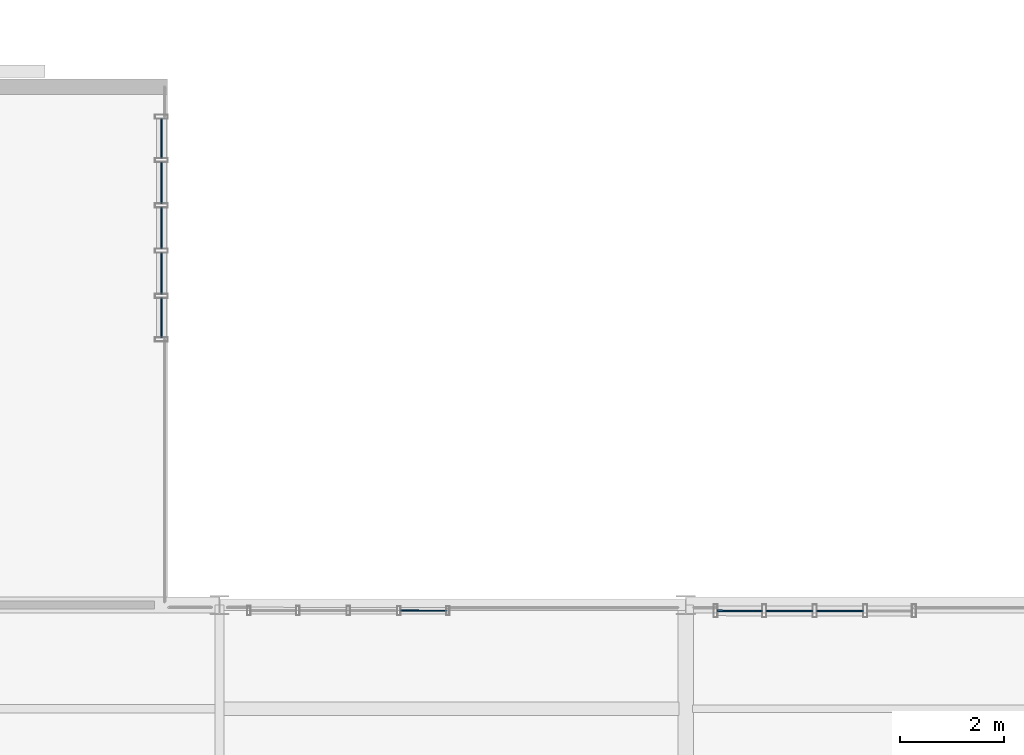
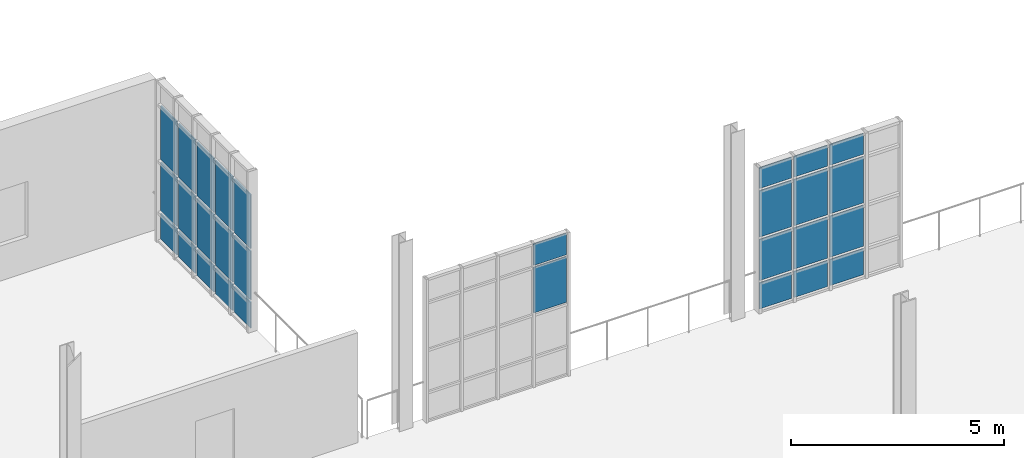
# One storey, part 111 of 142: 29 plates, 3 elements without a shape of their own.
"""IFC4 building model written with IfcOpenShell, lengths in metres."""

from ifc_helpers import new_model, si_unit, direction, frame, origin, origin_2d, place, context, subcontext, project, spatial, rectangle, extrude, material, layer, layer_set, type_object, element, aggregate, save


model = new_model("IFC4")

# Units and contexts
model_context = context("Model", 3, precision=1e-05, world=origin(), true_north=direction((0.0, 1.0)))
body_context = subcontext(model_context, "Body", "Model", "MODEL_VIEW")
ifc_project = project(units=[si_unit("LENGTHUNIT", "METRE"), si_unit("AREAUNIT", "SQUARE_METRE"), si_unit("VOLUMEUNIT", "CUBIC_METRE"), si_unit("PLANEANGLEUNIT", "RADIAN"), si_unit("MASSUNIT", "GRAM", prefix="KILO"), si_unit("THERMODYNAMICTEMPERATUREUNIT", "KELVIN"), si_unit("POWERUNIT", "WATT")], contexts=[model_context])

# Site, building, storey
site_placement = place(None, origin())
site = spatial("IfcSite", under=ifc_project, at=site_placement, CompositionType="ELEMENT")
building_placement = place(site_placement, origin())
building = spatial("IfcBuilding", under=site, at=building_placement, Name="Zelmaris Science Centre", CompositionType="ELEMENT")
storey_placement = place(building_placement, frame((0.0, 0.0, 5.39990234375)))
storey = spatial("IfcBuildingStorey", under=building, at=storey_placement, Name="L01", CompositionType="ELEMENT", Elevation=5.39990234375)

# Curtain wall, plates
ifc_material_1 = material(Name="Anodised architectural aluminium 6063-T6", Category="aluminium")
ifc_layer_1 = layer(ifc_material_1, 0.18994140625, Name="Anodised architectural aluminium 6063-T6")
ifc_layer_set_1 = layer_set([ifc_layer_1], Name="Anodised architectural aluminium 6063-T6")
curtain_wall_type_1 = type_object("IfcCurtainWallType", Name="Curtain Wall CW-01", PredefinedType="USERDEFINED", material=ifc_layer_set_1)
curtain_wall_1_placement = place(storey_placement, origin())
curtain_wall_1 = element("IfcCurtainWall", 1, at=curtain_wall_1_placement, inside=storey, type_object=curtain_wall_type_1, Name="L01 Unitised curtain wall 141", ObjectType="GLAZED CURTAIN WALL", PredefinedType="USERDEFINED")
ifc_material_2 = material(Name="Laminated hurricane-rated low-E insulated glazing", Category="glass")
ifc_layer_2 = layer(ifc_material_2, 0.031982421875, Name="Laminated hurricane-rated low-E insulated glazing")
ifc_layer_set_2 = layer_set([ifc_layer_2], Name="Laminated hurricane-rated low-E insulated glazing")
plate_type_1 = type_object("IfcPlateType", Name="Curtain Glazing Panel CWP-1 32mm", PredefinedType="CURTAIN_PANEL", material=ifc_layer_set_2)
plate_1_placement = place(storey_placement, frame((115.8798828125, 65.0048828125, 0.05712890625), z_axis=(0.0, 0.0, 1.0), x_axis=(2.2883815e-05, -0.999999999738, 0.0)))
plate_1 = element("IfcPlate", 2, at=plate_1_placement, type_object=plate_type_1, Name="CW-01 panel 1.1", PredefinedType="CURTAIN_PANEL", context=body_context, shape_type="SweptSolid", body=[
    extrude(rectangle(XDim=0.765869140625, YDim=0.031982421875, at=origin_2d()), origin(), (0.0, 0.0, 1.0), 0.741943359375),
])
plate_2_placement = place(storey_placement, frame((115.8798828125, 65.0048828125, 0.87109375), z_axis=(0.0, 0.0, 1.0), x_axis=(2.2883815e-05, -0.999999999738, 0.0)))
plate_2 = element("IfcPlate", 3, at=plate_2_placement, type_object=plate_type_1, Name="CW-01 panel 1.2", PredefinedType="CURTAIN_PANEL", context=body_context, shape_type="SweptSolid", body=[
    extrude(rectangle(XDim=0.765869140625, YDim=0.031982421875, at=origin_2d()), origin(), (0.0, 0.0, 1.0), 1.3955078125),
])
plate_3_placement = place(storey_placement, frame((115.8798828125, 65.0048828125, 2.338623046875), z_axis=(0.0, 0.0, 1.0), x_axis=(2.2883815e-05, -0.999999999738, 0.0)))
plate_3 = element("IfcPlate", 4, at=plate_3_placement, type_object=plate_type_1, Name="CW-01 panel 1.3", PredefinedType="CURTAIN_PANEL", context=body_context, shape_type="SweptSolid", body=[
    extrude(rectangle(XDim=0.765869140625, YDim=0.031982421875, at=origin_2d()), origin(), (0.0, 0.0, 1.0), 1.54541015625),
])
plate_4_placement = place(storey_placement, frame((115.8798828125, 64.14892578125, 0.05712890625), z_axis=(0.0, 0.0, 1.0), x_axis=(2.2883815e-05, -0.999999999738, 0.0)))
plate_4 = element("IfcPlate", 5, at=plate_4_placement, type_object=plate_type_1, Name="CW-01 panel 2.1", PredefinedType="CURTAIN_PANEL", context=body_context, shape_type="SweptSolid", body=[
    extrude(rectangle(XDim=0.802001953125, YDim=0.031982421875, at=origin_2d()), origin(), (0.0, 0.0, 1.0), 0.741943359375),
])
plate_5_placement = place(storey_placement, frame((115.8798828125, 64.14892578125, 0.87109375), z_axis=(0.0, 0.0, 1.0), x_axis=(2.2883815e-05, -0.999999999738, 0.0)))
plate_5 = element("IfcPlate", 6, at=plate_5_placement, type_object=plate_type_1, Name="CW-01 panel 2.2", PredefinedType="CURTAIN_PANEL", context=body_context, shape_type="SweptSolid", body=[
    extrude(rectangle(XDim=0.802001953125, YDim=0.031982421875, at=origin_2d()), origin(), (0.0, 0.0, 1.0), 1.3955078125),
])
plate_6_placement = place(storey_placement, frame((115.8798828125, 64.14892578125, 2.338623046875), z_axis=(0.0, 0.0, 1.0), x_axis=(2.2883815e-05, -0.999999999738, 0.0)))
plate_6 = element("IfcPlate", 7, at=plate_6_placement, type_object=plate_type_1, Name="CW-01 panel 2.3", PredefinedType="CURTAIN_PANEL", context=body_context, shape_type="SweptSolid", body=[
    extrude(rectangle(XDim=0.802001953125, YDim=0.031982421875, at=origin_2d()), origin(), (0.0, 0.0, 1.0), 1.54541015625),
])
plate_7_placement = place(storey_placement, frame((115.8798828125, 63.27490234375, 0.05712890625), z_axis=(0.0, 0.0, 1.0), x_axis=(2.2883815e-05, -0.999999999738, 0.0)))
plate_7 = element("IfcPlate", 8, at=plate_7_placement, type_object=plate_type_1, Name="CW-01 panel 3.1", PredefinedType="CURTAIN_PANEL", context=body_context, shape_type="SweptSolid", body=[
    extrude(rectangle(XDim=0.802001953125, YDim=0.031982421875, at=origin_2d()), origin(), (0.0, 0.0, 1.0), 0.741943359375),
])
plate_8_placement = place(storey_placement, frame((115.8798828125, 63.27490234375, 0.87109375), z_axis=(0.0, 0.0, 1.0), x_axis=(2.2883815e-05, -0.999999999738, 0.0)))
plate_8 = element("IfcPlate", 9, at=plate_8_placement, type_object=plate_type_1, Name="CW-01 panel 3.2", PredefinedType="CURTAIN_PANEL", context=body_context, shape_type="SweptSolid", body=[
    extrude(rectangle(XDim=0.802001953125, YDim=0.031982421875, at=origin_2d()), origin(), (0.0, 0.0, 1.0), 1.3955078125),
])
plate_9_placement = place(storey_placement, frame((115.8798828125, 63.27490234375, 2.338623046875), z_axis=(0.0, 0.0, 1.0), x_axis=(2.2883815e-05, -0.999999999738, 0.0)))
plate_9 = element("IfcPlate", 10, at=plate_9_placement, type_object=plate_type_1, Name="CW-01 panel 3.3", PredefinedType="CURTAIN_PANEL", context=body_context, shape_type="SweptSolid", body=[
    extrude(rectangle(XDim=0.802001953125, YDim=0.031982421875, at=origin_2d()), origin(), (0.0, 0.0, 1.0), 1.54541015625),
])
plate_10_placement = place(storey_placement, frame((115.8798828125, 62.40087890625, 0.05712890625), z_axis=(0.0, 0.0, 1.0), x_axis=(2.2883815e-05, -0.999999999738, 0.0)))
plate_10 = element("IfcPlate", 11, at=plate_10_placement, type_object=plate_type_1, Name="CW-01 panel 4.1", PredefinedType="CURTAIN_PANEL", context=body_context, shape_type="SweptSolid", body=[
    extrude(rectangle(XDim=0.802001953125, YDim=0.031982421875, at=origin_2d()), origin(), (0.0, 0.0, 1.0), 0.741943359375),
])
plate_11_placement = place(storey_placement, frame((115.8798828125, 62.40087890625, 0.87109375), z_axis=(0.0, 0.0, 1.0), x_axis=(2.2883815e-05, -0.999999999738, 0.0)))
plate_11 = element("IfcPlate", 12, at=plate_11_placement, type_object=plate_type_1, Name="CW-01 panel 4.2", PredefinedType="CURTAIN_PANEL", context=body_context, shape_type="SweptSolid", body=[
    extrude(rectangle(XDim=0.802001953125, YDim=0.031982421875, at=origin_2d()), origin(), (0.0, 0.0, 1.0), 1.3955078125),
])
plate_12_placement = place(storey_placement, frame((115.8798828125, 62.40087890625, 2.338623046875), z_axis=(0.0, 0.0, 1.0), x_axis=(2.2883815e-05, -0.999999999738, 0.0)))
plate_12 = element("IfcPlate", 13, at=plate_12_placement, type_object=plate_type_1, Name="CW-01 panel 4.3", PredefinedType="CURTAIN_PANEL", context=body_context, shape_type="SweptSolid", body=[
    extrude(rectangle(XDim=0.802001953125, YDim=0.031982421875, at=origin_2d()), origin(), (0.0, 0.0, 1.0), 1.54541015625),
])
plate_13_placement = place(storey_placement, frame((115.8798828125, 61.544921875, 0.05712890625), z_axis=(0.0, 0.0, 1.0), x_axis=(2.2883815e-05, -0.999999999738, 0.0)))
plate_13 = element("IfcPlate", 14, at=plate_13_placement, type_object=plate_type_1, Name="CW-01 panel 5.1", PredefinedType="CURTAIN_PANEL", context=body_context, shape_type="SweptSolid", body=[
    extrude(rectangle(XDim=0.765869140625, YDim=0.031982421875, at=origin_2d()), origin(), (0.0, 0.0, 1.0), 0.741943359375),
])
plate_14_placement = place(storey_placement, frame((115.8798828125, 61.544921875, 0.87109375), z_axis=(0.0, 0.0, 1.0), x_axis=(2.2883815e-05, -0.999999999738, 0.0)))
plate_14 = element("IfcPlate", 15, at=plate_14_placement, type_object=plate_type_1, Name="CW-01 panel 5.2", PredefinedType="CURTAIN_PANEL", context=body_context, shape_type="SweptSolid", body=[
    extrude(rectangle(XDim=0.765869140625, YDim=0.031982421875, at=origin_2d()), origin(), (0.0, 0.0, 1.0), 1.3955078125),
])
plate_15_placement = place(storey_placement, frame((115.8798828125, 61.544921875, 2.338623046875), z_axis=(0.0, 0.0, 1.0), x_axis=(2.2883815e-05, -0.999999999738, 0.0)))
plate_15 = element("IfcPlate", 16, at=plate_15_placement, type_object=plate_type_1, Name="CW-01 panel 5.3", PredefinedType="CURTAIN_PANEL", context=body_context, shape_type="SweptSolid", body=[
    extrude(rectangle(XDim=0.765869140625, YDim=0.031982421875, at=origin_2d()), origin(), (0.0, 0.0, 1.0), 1.54541015625),
])
aggregate(curtain_wall_1, [plate_1, plate_2, plate_3, plate_4, plate_5, plate_6, plate_7, plate_8, plate_9, plate_10, plate_11, plate_12, plate_13, plate_14, plate_15])

curtain_wall_2_placement = place(storey_placement, origin())
curtain_wall_2 = element("IfcCurtainWall", 17, at=curtain_wall_2_placement, inside=storey, type_object=curtain_wall_type_1, Name="L01 Unitised curtain wall 145", ObjectType="GLAZED CURTAIN WALL", PredefinedType="USERDEFINED")
plate_16_placement = place(storey_placement, frame((127.04541015625, 55.88818359375, 0.05712890625), z_axis=(0.0, 0.0, 1.0), x_axis=(0.999999881328, -0.000487179425, 0.0)))
plate_16 = element("IfcPlate", 18, at=plate_16_placement, type_object=plate_type_1, Name="CW-01 panel 1.1", PredefinedType="CURTAIN_PANEL", context=body_context, shape_type="SweptSolid", body=[
    extrude(rectangle(XDim=0.866943359375, YDim=0.031982421875, at=origin_2d()), origin(), (0.0, 0.0, 1.0), 0.741943359375),
])
plate_17_placement = place(storey_placement, frame((127.04541015625, 55.88818359375, 0.87109375), z_axis=(0.0, 0.0, 1.0), x_axis=(0.999999881328, -0.000487179425, 0.0)))
plate_17 = element("IfcPlate", 19, at=plate_17_placement, type_object=plate_type_1, Name="CW-01 panel 1.2", PredefinedType="CURTAIN_PANEL", context=body_context, shape_type="SweptSolid", body=[
    extrude(rectangle(XDim=0.866943359375, YDim=0.031982421875, at=origin_2d()), origin(), (0.0, 0.0, 1.0), 1.172119140625),
])
plate_18_placement = place(storey_placement, frame((127.04541015625, 55.88818359375, 2.115234375), z_axis=(0.0, 0.0, 1.0), x_axis=(0.999999881328, -0.000487179425, 0.0)))
plate_18 = element("IfcPlate", 20, at=plate_18_placement, type_object=plate_type_1, Name="CW-01 panel 1.3", PredefinedType="CURTAIN_PANEL", context=body_context, shape_type="SweptSolid", body=[
    extrude(rectangle(XDim=0.866943359375, YDim=0.031982421875, at=origin_2d()), origin(), (0.0, 0.0, 1.0), 1.322021484375),
])
plate_19_placement = place(storey_placement, frame((127.04541015625, 55.88818359375, 3.50927734375), z_axis=(0.0, 0.0, 1.0), x_axis=(0.999999881328, -0.000487179425, 0.0)))
plate_19 = element("IfcPlate", 21, at=plate_19_placement, type_object=plate_type_1, Name="CW-01 panel 1.4", PredefinedType="CURTAIN_PANEL", context=body_context, shape_type="SweptSolid", body=[
    extrude(rectangle(XDim=0.866943359375, YDim=0.031982421875, at=origin_2d()), origin(), (0.0, 0.0, 1.0), 0.592041015625),
])
plate_20_placement = place(storey_placement, frame((128.00244140625, 55.8876953125, 0.05712890625), z_axis=(0.0, 0.0, 1.0), x_axis=(0.999999881328, -0.000487179425, 0.0)))
plate_20 = element("IfcPlate", 22, at=plate_20_placement, type_object=plate_type_1, Name="CW-01 panel 2.1", PredefinedType="CURTAIN_PANEL", context=body_context, shape_type="SweptSolid", body=[
    extrude(rectangle(XDim=0.903076171875, YDim=0.031982421875, at=origin_2d()), origin(), (0.0, 0.0, 1.0), 0.741943359375),
])
plate_21_placement = place(storey_placement, frame((128.00244140625, 55.8876953125, 0.87109375), z_axis=(0.0, 0.0, 1.0), x_axis=(0.999999881328, -0.000487179425, 0.0)))
plate_21 = element("IfcPlate", 23, at=plate_21_placement, type_object=plate_type_1, Name="CW-01 panel 2.2", PredefinedType="CURTAIN_PANEL", context=body_context, shape_type="SweptSolid", body=[
    extrude(rectangle(XDim=0.903076171875, YDim=0.031982421875, at=origin_2d()), origin(), (0.0, 0.0, 1.0), 1.172119140625),
])
plate_22_placement = place(storey_placement, frame((128.00244140625, 55.8876953125, 2.115234375), z_axis=(0.0, 0.0, 1.0), x_axis=(0.999999881328, -0.000487179425, 0.0)))
plate_22 = element("IfcPlate", 24, at=plate_22_placement, type_object=plate_type_1, Name="CW-01 panel 2.3", PredefinedType="CURTAIN_PANEL", context=body_context, shape_type="SweptSolid", body=[
    extrude(rectangle(XDim=0.903076171875, YDim=0.031982421875, at=origin_2d()), origin(), (0.0, 0.0, 1.0), 1.322021484375),
])
plate_23_placement = place(storey_placement, frame((128.00244140625, 55.8876953125, 3.50927734375), z_axis=(0.0, 0.0, 1.0), x_axis=(0.999999881328, -0.000487179425, 0.0)))
plate_23 = element("IfcPlate", 25, at=plate_23_placement, type_object=plate_type_1, Name="CW-01 panel 2.4", PredefinedType="CURTAIN_PANEL", context=body_context, shape_type="SweptSolid", body=[
    extrude(rectangle(XDim=0.903076171875, YDim=0.031982421875, at=origin_2d()), origin(), (0.0, 0.0, 1.0), 0.592041015625),
])
plate_24_placement = place(storey_placement, frame((128.977294921875, 55.88720703125, 0.05712890625), z_axis=(0.0, 0.0, 1.0), x_axis=(0.999999881328, -0.000487179425, 0.0)))
plate_24 = element("IfcPlate", 26, at=plate_24_placement, type_object=plate_type_1, Name="CW-01 panel 3.1", PredefinedType="CURTAIN_PANEL", context=body_context, shape_type="SweptSolid", body=[
    extrude(rectangle(XDim=0.903076171875, YDim=0.031982421875, at=origin_2d()), origin(), (0.0, 0.0, 1.0), 0.741943359375),
])
plate_25_placement = place(storey_placement, frame((128.977294921875, 55.88720703125, 0.87109375), z_axis=(0.0, 0.0, 1.0), x_axis=(0.999999881328, -0.000487179425, 0.0)))
plate_25 = element("IfcPlate", 27, at=plate_25_placement, type_object=plate_type_1, Name="CW-01 panel 3.2", PredefinedType="CURTAIN_PANEL", context=body_context, shape_type="SweptSolid", body=[
    extrude(rectangle(XDim=0.903076171875, YDim=0.031982421875, at=origin_2d()), origin(), (0.0, 0.0, 1.0), 1.172119140625),
])
plate_26_placement = place(storey_placement, frame((128.977294921875, 55.88720703125, 2.115234375), z_axis=(0.0, 0.0, 1.0), x_axis=(0.999999881328, -0.000487179425, 0.0)))
plate_26 = element("IfcPlate", 28, at=plate_26_placement, type_object=plate_type_1, Name="CW-01 panel 3.3", PredefinedType="CURTAIN_PANEL", context=body_context, shape_type="SweptSolid", body=[
    extrude(rectangle(XDim=0.903076171875, YDim=0.031982421875, at=origin_2d()), origin(), (0.0, 0.0, 1.0), 1.322021484375),
])
plate_27_placement = place(storey_placement, frame((128.977294921875, 55.88720703125, 3.50927734375), z_axis=(0.0, 0.0, 1.0), x_axis=(0.999999881328, -0.000487179425, 0.0)))
plate_27 = element("IfcPlate", 29, at=plate_27_placement, type_object=plate_type_1, Name="CW-01 panel 3.4", PredefinedType="CURTAIN_PANEL", context=body_context, shape_type="SweptSolid", body=[
    extrude(rectangle(XDim=0.903076171875, YDim=0.031982421875, at=origin_2d()), origin(), (0.0, 0.0, 1.0), 0.592041015625),
])
aggregate(curtain_wall_2, [plate_16, plate_17, plate_18, plate_19, plate_20, plate_21, plate_22, plate_23, plate_24, plate_25, plate_26, plate_27])

ifc_layer_3 = layer(ifc_material_1, 0.2099609375, Name="Anodised architectural aluminium 6063-T6")
ifc_layer_set_3 = layer_set([ifc_layer_3], Name="Anodised architectural aluminium 6063-T6")
curtain_wall_type_2 = type_object("IfcCurtainWallType", Name="Curtain Wall CW-03", PredefinedType="USERDEFINED", material=ifc_layer_set_3)
curtain_wall_3_placement = place(storey_placement, origin())
curtain_wall_3 = element("IfcCurtainWall", 30, at=curtain_wall_3_placement, inside=storey, type_object=curtain_wall_type_2, Name="L01 Unitised curtain wall 143", ObjectType="GLAZED CURTAIN WALL", PredefinedType="USERDEFINED")
ifc_layer_4 = layer(ifc_material_2, 0.02587890625, Name="Laminated hurricane-rated low-E insulated glazing")
ifc_layer_set_4 = layer_set([ifc_layer_4], Name="Laminated hurricane-rated low-E insulated glazing")
plate_type_2 = type_object("IfcPlateType", Name="Curtain Glazing Panel CWP-3 26mm", PredefinedType="CURTAIN_PANEL", material=ifc_layer_set_4)
plate_28_placement = place(storey_placement, frame((120.938232421875, 55.891357421875, 2.078125), z_axis=(0.0, 0.0, 1.0), x_axis=(0.999999881328, -0.000487179425, 0.0)))
plate_28 = element("IfcPlate", 31, at=plate_28_placement, type_object=plate_type_2, Name="CW-03 panel 4.3", PredefinedType="CURTAIN_PANEL", context=body_context, shape_type="SweptSolid", body=[
    extrude(rectangle(XDim=0.889404296875, YDim=0.02587890625, at=origin_2d()), origin(), (0.0, 0.0, 1.0), 1.3076171875),
])
plate_29_placement = place(storey_placement, frame((120.938232421875, 55.891357421875, 3.4423828125), z_axis=(0.0, 0.0, 1.0), x_axis=(0.999999881328, -0.000487179425, 0.0)))
plate_29 = element("IfcPlate", 32, at=plate_29_placement, type_object=plate_type_2, Name="CW-03 panel 4.4", PredefinedType="CURTAIN_PANEL", context=body_context, shape_type="SweptSolid", body=[
    extrude(rectangle(XDim=0.889404296875, YDim=0.02587890625, at=origin_2d()), origin(), (0.0, 0.0, 1.0), 0.614501953125),
])
aggregate(curtain_wall_3, [plate_28, plate_29])

save(model, "model.ifc")
